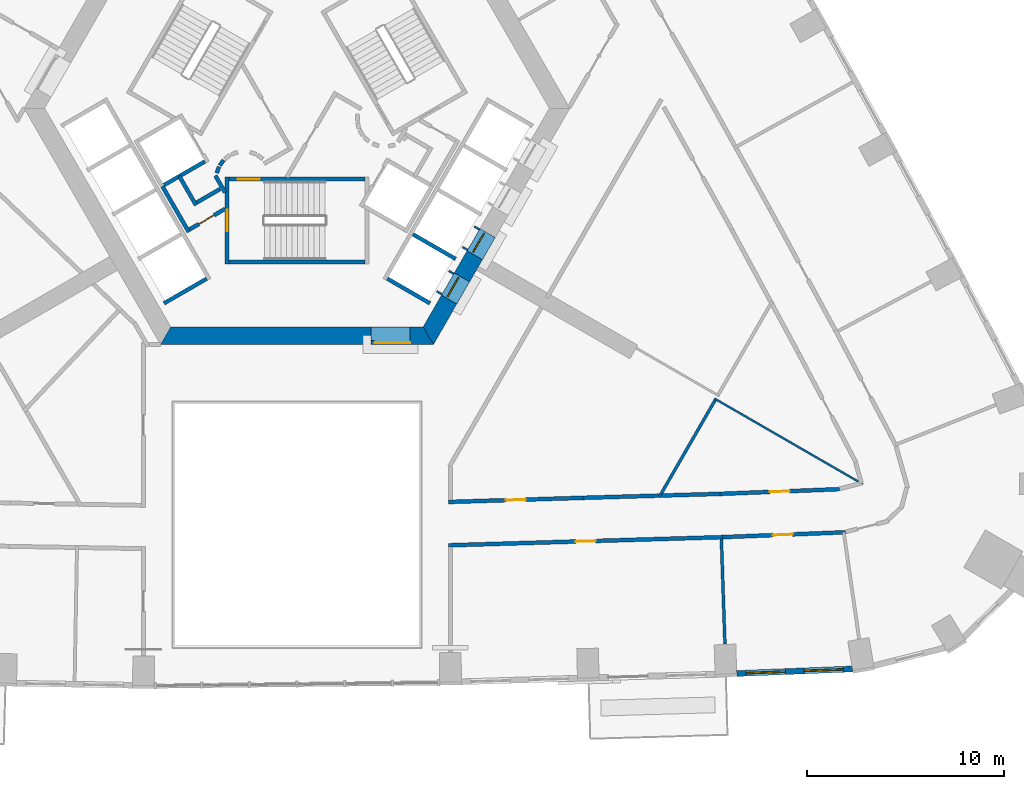
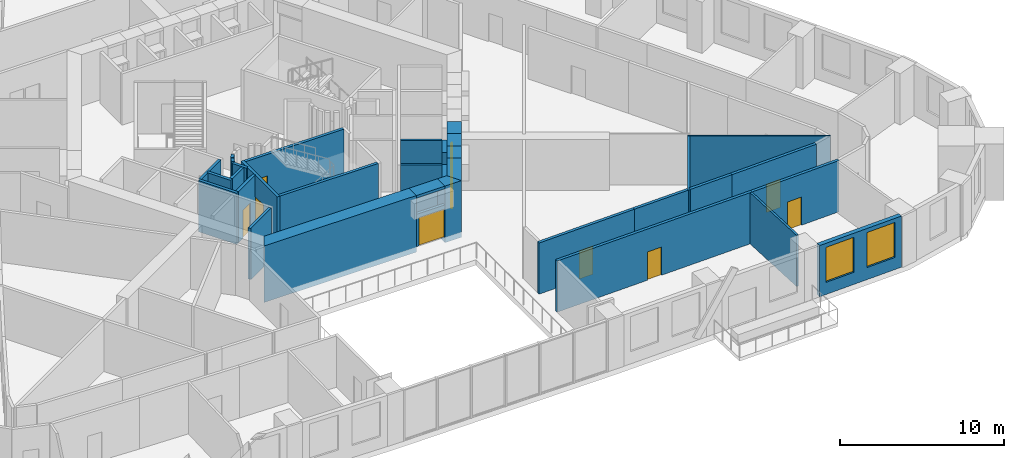
# One storey, part 6 of 14: 34 walls, 10 doors, 2 windows, 12 openings.
"""IFC4 building model written with IfcOpenShell, lengths in metres."""

from ifc_helpers import new_model, si_unit, direction, frame, frame_2d, origin, place, context, subcontext, project, spatial, polyline, rectangle, outline, extrude, material, layer, layer_set, type_object, element, fill, save


model = new_model("IFC4")

# Units and contexts
model_context = context("Model", 3, precision=1e-05, world=origin(), true_north=direction((0.0, 1.0)))
body_context = subcontext(model_context, "Body", "Model", "MODEL_VIEW")
ifc_project = project(units=[si_unit("LENGTHUNIT", "METRE"), si_unit("AREAUNIT", "SQUARE_METRE"), si_unit("VOLUMEUNIT", "CUBIC_METRE"), si_unit("PLANEANGLEUNIT", "RADIAN"), si_unit("MASSUNIT", "GRAM", prefix="KILO")], contexts=[model_context])

# Site, building, storey
site_placement = place(None, origin())
site = spatial("IfcSite", under=ifc_project, at=site_placement, CompositionType="ELEMENT")
building_placement = place(site_placement, origin())
building = spatial("IfcBuilding", under=site, at=building_placement, Name="Entoto Arch Interchange Tower", CompositionType="ELEMENT")
storey_placement = place(building_placement, frame((0.0, 0.0, 103.39990234375)))
storey = spatial("IfcBuildingStorey", under=building, at=storey_placement, Name="L22", CompositionType="ELEMENT", Elevation=103.39990234375)

# Wall, opening, door
ifc_material_1 = material(Name="Reinforced concrete C40/50", Category="concrete")
ifc_layer_1 = layer(ifc_material_1, 0.199951171875)
ifc_layer_set_1 = layer_set([ifc_layer_1], Name="Reinforced concrete C40/50")
wall_type_1 = type_object("IfcWallType", Name="CORE GAP INFILL WALL", PredefinedType="PARTITIONING", material=ifc_layer_set_1)
wall_1_placement = place(storey_placement, frame((3.75, -9.39990234375, 0.0), z_axis=(0.0, 0.0, 1.0), x_axis=(1.0, 0.0, 0.0)))
wall_1 = element("IfcWall", 1, at=wall_1_placement, inside=storey, type_object=wall_type_1, Name="wall:L22:gap1", PredefinedType="PARTITIONING", context=body_context, shape_type="SweptSolid", body=[
    extrude(rectangle(XDim=2.0, YDim=0.199951171875, at=frame_2d((1.0, 0.0))), origin(), (0.0, 0.0, 1.0), 2.400146484375),
])
opening_1_placement = place(wall_1_placement, frame((0.18994140625, 0.0, 0.0)))
opening_1 = element("IfcOpeningElement", 2, at=opening_1_placement, cuts=wall_1, Name="Opening L22-D91", PredefinedType="OPENING", context=body_context, shape_type="SweptSolid", body=[
    extrude(rectangle(XDim=1.800048828125, YDim=2.10009765625, at=frame_2d((0.89990234375, 1.050048828125))), frame((0.0, 0.10986328125, 0.0), z_axis=(0.0, -1.0, 0.0), x_axis=(1.0, 0.0, 0.0)), (0.0, 0.0, 1.0), 0.219970703125),
])
ifc_material_2 = material(Name="Fire-rated Steel S235 door and frame", Category="steel")
door_type_1 = type_object("IfcDoorType", Name="DOOR FD-18 1800x2100", OperationType="DOUBLE_DOOR_SINGLE_SWING", PredefinedType="DOOR", material=ifc_material_2)
door_1_placement = place(opening_1_placement, origin())
door_1 = element("IfcDoor", 3, at=door_1_placement, inside=storey, type_object=door_type_1, Name="door:L22:gap1", OperationType="DOUBLE_DOOR_SINGLE_SWING", OverallHeight=2.10009765625, OverallWidth=1.800048828125, PredefinedType="DOOR", context=body_context, shape_type="SweptSolid", body=[
    extrude(rectangle(XDim=1.800048828125, YDim=2.10009765625, at=frame_2d((0.89990234375, 1.050048828125))), frame((0.0, 0.02490234375, 0.0), z_axis=(0.0, -1.0, 0.0), x_axis=(1.0, 0.0, 0.0)), (0.0, 0.0, 1.0), 0.050048828125),
])
fill(opening_1, door_1)

# Walls
ifc_material_3 = material(Name="Concrete C60/75", Category="concrete")
ifc_layer_2 = layer(ifc_material_3, 0.89990234375)
ifc_layer_set_2 = layer_set([ifc_layer_2], Name="Concrete C60/75")
wall_type_2 = type_object("IfcWallType", Name="Core wall 900 C60/75", PredefinedType="SHEAR", material=ifc_layer_set_2)
wall_2_placement = place(storey_placement, frame((0.0, 0.0, -0.39990234375)))
element("IfcWall", 4, at=wall_2_placement, inside=storey, type_object=wall_type_2, Name="Core wall S L22", PredefinedType="SHEAR", context=body_context, shape_type="SweptSolid", body=[
    extrude(outline(polyline([(3.75, -9.5), (3.75, -8.60009765625), (-6.408935546875, -8.60009765625), (-6.927978515625, -9.5), (3.75, -9.5)])), origin(), (0.0, 0.0, 1.0), 4.199951171875),
])
wall_3_placement = place(storey_placement, frame((0.0, 0.0, -0.39990234375)))
element("IfcWall", 5, at=wall_3_placement, inside=storey, type_object=wall_type_2, Name="Core wall S L22", PredefinedType="SHEAR", context=body_context, shape_type="SweptSolid", body=[
    extrude(outline(polyline([(5.75, -8.60009765625), (5.75, -9.5), (6.927978515625, -9.5), (6.408935546875, -8.60009765625), (5.75, -8.60009765625)])), origin(), (0.0, 0.0, 1.0), 4.199951171875),
])
wall_4_placement = place(storey_placement, frame((0.0, 0.0, 3.60009765625)))
element("IfcWall", 6, at=wall_4_placement, inside=storey, type_object=wall_type_2, Name="Core wall lintel S L22", PredefinedType="SHEAR", context=body_context, shape_type="SweptSolid", body=[
    extrude(outline(polyline([(5.75, -9.5), (5.75, -8.60009765625), (3.75, -8.60009765625), (3.75, -9.5), (5.75, -9.5)])), origin(), (0.0, 0.0, 1.0), 0.199951171875),
])
wall_5_placement = place(storey_placement, frame((0.0, 0.0, -0.39990234375)))
element("IfcWall", 7, at=wall_5_placement, inside=storey, type_object=wall_type_2, Name="Core wall SE L22", PredefinedType="SHEAR", context=body_context, shape_type="SweptSolid", body=[
    extrude(outline(polyline([(8.116943359375, -7.43994140625), (7.337890625, -6.989990234375), (6.408935546875, -8.60009765625), (6.927978515625, -9.5), (8.116943359375, -7.43994140625)])), origin(), (0.0, 0.0, 1.0), 4.199951171875),
])
wall_6_placement = place(storey_placement, frame((0.0, 0.0, -0.39990234375)))
element("IfcWall", 8, at=wall_6_placement, inside=storey, type_object=wall_type_2, Name="Core wall SE L22", PredefinedType="SHEAR", context=body_context, shape_type="SweptSolid", body=[
    extrude(outline(polyline([(9.4169921875, -5.18896484375), (8.637939453125, -4.739013671875), (7.988037109375, -5.864013671875), (8.76708984375, -6.31396484375), (9.4169921875, -5.18896484375)])), origin(), (0.0, 0.0, 1.0), 4.199951171875),
])
wall_7_placement = place(storey_placement, frame((0.0, 0.0, 3.60009765625)))
element("IfcWall", 9, at=wall_7_placement, inside=storey, type_object=wall_type_2, Name="Core wall lintel SE L22", PredefinedType="SHEAR", context=body_context, shape_type="SweptSolid", body=[
    extrude(outline(polyline([(8.76708984375, -6.31396484375), (7.988037109375, -5.864013671875), (7.337890625, -6.989990234375), (8.116943359375, -7.43994140625), (8.76708984375, -6.31396484375)])), origin(), (0.0, 0.0, 1.0), 0.199951171875),
])
wall_8_placement = place(storey_placement, frame((0.0, 0.0, 3.60009765625)))
element("IfcWall", 10, at=wall_8_placement, inside=storey, type_object=wall_type_2, Name="Core wall lintel SE L22", PredefinedType="SHEAR", context=body_context, shape_type="SweptSolid", body=[
    extrude(outline(polyline([(10.06689453125, -4.06298828125), (9.2880859375, -3.613037109375), (8.637939453125, -4.739013671875), (9.4169921875, -5.18896484375), (10.06689453125, -4.06298828125)])), origin(), (0.0, 0.0, 1.0), 0.199951171875),
])

# Wall, opening, door
ifc_material_4 = material(Name="Concrete C40/50", Category="concrete")
ifc_layer_3 = layer(ifc_material_4, 1.199951171875)
ifc_layer_set_3 = layer_set([ifc_layer_3], Name="Concrete C40/50")
wall_type_3 = type_object("IfcWallType", Name="LIFT LANDING INFILL WALL", PredefinedType="STANDARD", material=ifc_layer_set_3)
wall_9_placement = place(storey_placement, frame((7.597900390625, -7.139892578125, 0.0), z_axis=(0.0, 0.0, 1.0), x_axis=(0.500362116554, 0.865816234728, 0.0)))
wall_9 = element("IfcWall", 11, at=wall_9_placement, inside=storey, type_object=wall_type_3, Name="Lift landing infill wall LR5 L22", PredefinedType="STANDARD", context=body_context, shape_type="SweptSolid", body=[
    extrude(rectangle(XDim=1.29931640625, YDim=1.199951171875, at=frame_2d((0.649658203125, 0.0))), origin(), (0.0, 0.0, 1.0), 2.400146484375),
])
opening_2_placement = place(wall_9_placement, frame((0.10009765625, 0.0, 0.0)))
opening_2 = element("IfcOpeningElement", 12, at=opening_2_placement, cuts=wall_9, Name="Opening LD-LR5-L22", PredefinedType="OPENING", context=body_context, shape_type="SweptSolid", body=[
    extrude(rectangle(XDim=1.10009765625, YDim=2.300048828125, at=frame_2d((0.550048828125, 1.14990234375))), frame((0.0, 0.60986328125, 0.0), z_axis=(0.0, -1.0, 0.0), x_axis=(1.0, 0.0, 0.0)), (0.0, 0.0, 1.0), 1.219970703125),
])
ifc_material_5 = material(Name="Stainless steel 1.4301 panels", Category="steel")
door_type_2 = type_object("IfcDoorType", Name="LIFT LANDING DOOR LD2 1100x2300", OperationType="SLIDING_TO_LEFT", PredefinedType="DOOR", material=ifc_material_5)
door_2_placement = place(opening_2_placement, origin())
door_2 = element("IfcDoor", 13, at=door_2_placement, inside=storey, type_object=door_type_2, Name="Lift landing door LR5 L22", OperationType="SLIDING_TO_LEFT", OverallHeight=2.300048828125, OverallWidth=1.10009765625, PredefinedType="DOOR", context=body_context, shape_type="SweptSolid", body=[
    extrude(rectangle(XDim=1.10009765625, YDim=2.300048828125, at=frame_2d((0.550048828125, 1.14990234375))), frame((0.0, 0.02490234375, 0.0), z_axis=(0.0, -1.0, 0.0), x_axis=(1.0, 0.0, 0.0)), (0.0, 0.0, 1.0), 0.050048828125),
])
fill(opening_2, door_2)

wall_10_placement = place(storey_placement, frame((8.89794921875, -4.888916015625, 0.0), z_axis=(0.0, 0.0, 1.0), x_axis=(0.500036693733, 0.866004217611, 0.0)))
wall_10 = element("IfcWall", 14, at=wall_10_placement, inside=storey, type_object=wall_type_3, Name="Lift landing infill wall LR6 L22", PredefinedType="STANDARD", context=body_context, shape_type="SweptSolid", body=[
    extrude(rectangle(XDim=1.30029296875, YDim=1.199951171875, at=frame_2d((0.650146484375, 0.0))), origin(), (0.0, 0.0, 1.0), 2.400146484375),
])
opening_3_placement = place(wall_10_placement, frame((0.10009765625, 0.0, 0.0)))
opening_3 = element("IfcOpeningElement", 15, at=opening_3_placement, cuts=wall_10, Name="Opening LD-LR6-L22", PredefinedType="OPENING", context=body_context, shape_type="SweptSolid", body=[
    extrude(rectangle(XDim=1.10009765625, YDim=2.300048828125, at=frame_2d((0.550048828125, 1.14990234375))), frame((0.0, 0.60986328125, 0.0), z_axis=(0.0, -1.0, 0.0), x_axis=(1.0, 0.0, 0.0)), (0.0, 0.0, 1.0), 1.219970703125),
])
door_3_placement = place(opening_3_placement, origin())
door_3 = element("IfcDoor", 16, at=door_3_placement, inside=storey, type_object=door_type_2, Name="Lift landing door LR6 L22", OperationType="SLIDING_TO_LEFT", OverallHeight=2.300048828125, OverallWidth=1.10009765625, PredefinedType="DOOR", context=body_context, shape_type="SweptSolid", body=[
    extrude(rectangle(XDim=1.10009765625, YDim=2.300048828125, at=frame_2d((0.550048828125, 1.14990234375))), frame((0.0, 0.02490234375, 0.0), z_axis=(0.0, -1.0, 0.0), x_axis=(1.0, 0.0, 0.0)), (0.0, 0.0, 1.0), 0.050048828125),
])
fill(opening_3, door_3)

# Walls
ifc_layer_4 = layer(ifc_material_4, 0.199951171875)
ifc_layer_set_4 = layer_set([ifc_layer_4], Name="Concrete C40/50")
wall_type_4 = type_object("IfcWallType", Name="LIFT SHAFT WALL 200", PredefinedType="STANDARD", material=ifc_layer_set_4)
wall_11_placement = place(storey_placement, frame((-4.677001953125, -0.199951171875, 0.0), z_axis=(0.0, 0.0, 1.0), x_axis=(-0.865973769406, -0.500089422704, 0.0)))
element("IfcWall", 17, at=wall_11_placement, inside=storey, type_object=wall_type_4, Name="Shaft wall SW1 cross 2", PredefinedType="STANDARD", context=body_context, shape_type="SweptSolid", body=[
    extrude(rectangle(XDim=2.3994140625, YDim=0.199951171875, at=frame_2d((1.19970703125, 0.0))), origin(), (0.0, 0.0, 1.0), 3.800048828125),
])
for number, where, z_axis, x_axis, name in (
    (18, (-4.587890625, -6.153076171875, 0.0), (0.0, 0.0, 1.0), (-0.866022959057, -0.500004234368, 0.0), "Shaft wall SW3 cross 5"),
    (19, (4.587890625, -6.153076171875, 0.0), (0.0, 0.0, 1.0), (0.866022959057, -0.500004234368, 0.0), "Shaft wall SE3 cross 1"),
    (20, (5.887939453125, -3.902099609375, 0.0), (0.0, 0.0, 1.0), (0.866022959057, -0.500004234368, 0.0), "Shaft wall SE3 cross 2"),
):
    element("IfcWall", number, at=place(storey_placement, frame(where, z_axis=z_axis, x_axis=x_axis)), inside=storey, type_object=wall_type_4, Name=name, PredefinedType="STANDARD", context=body_context, shape_type="SweptSolid", body=[
        extrude(rectangle(XDim=2.5, YDim=0.199951171875, at=frame_2d((1.25, 0.0))), origin(), (0.0, 0.0, 1.0), 3.800048828125),
    ])
ifc_material_6 = material(Name="Gypsum board partition on steel studs", Category="steel")
ifc_layer_5 = layer(ifc_material_6, 0.10009765625)
ifc_layer_set_5 = layer_set([ifc_layer_5], Name="Gypsum board partition on steel studs")
wall_type_5 = type_object("IfcWallType", Name="PARTITION 100", PredefinedType="PARTITIONING", material=ifc_layer_set_5)
wall_12_placement = place(storey_placement, frame((21.196044921875, -12.238037109375, 0.0), z_axis=(0.0, 0.0, 1.0), x_axis=(0.866023145199, -0.500003911965, 0.0)))
element("IfcWall", 21, at=wall_12_placement, inside=storey, type_object=wall_type_5, Name="wall:L22:p126", PredefinedType="PARTITIONING", context=body_context, shape_type="SweptSolid", body=[
    extrude(rectangle(XDim=8.7099609375, YDim=0.10009765625, at=frame_2d((4.35498046875, 0.0))), origin(), (0.0, 0.0, 1.0), 3.800048828125),
])
ifc_layer_6 = layer(ifc_material_6, 0.14990234375)
ifc_layer_set_6 = layer_set([ifc_layer_6], Name="Gypsum board partition on steel studs")
wall_type_6 = type_object("IfcWallType", Name="PARTITION 150", PredefinedType="PARTITIONING", material=ifc_layer_set_6)
wall_13_placement = place(storey_placement, frame((21.236083984375, -12.319091796875, 0.0), z_axis=(0.0, 0.0, 1.0), x_axis=(-0.500016488359, -0.866015884017, 0.0)))
element("IfcWall", 22, at=wall_13_placement, inside=storey, type_object=wall_type_6, Name="wall:L22:p124", PredefinedType="PARTITIONING", context=body_context, shape_type="SweptSolid", body=[
    extrude(rectangle(XDim=5.701904296875, YDim=0.14990234375, at=frame_2d((2.85107421875, 0.0))), origin(), (0.0, 0.0, 1.0), 3.800048828125),
])
wall_14_placement = place(storey_placement, frame((21.550048828125, -19.382080078125, 0.0), z_axis=(0.0, 0.0, 1.0), x_axis=(0.034124666577, -0.999417583961, 0.0)))
element("IfcWall", 23, at=wall_14_placement, inside=storey, type_object=wall_type_6, Name="wall:L22:p137", PredefinedType="PARTITIONING", context=body_context, shape_type="SweptSolid", body=[
    extrude(rectangle(XDim=5.330078125, YDim=0.14990234375, at=frame_2d((2.6650390625, 0.0))), origin(), (0.0, 0.0, 1.0), 3.800048828125),
])

# Wall, opening, door
ifc_layer_7 = layer(ifc_material_6, 0.199951171875)
ifc_layer_set_7 = layer_set([ifc_layer_7], Name="Gypsum board partition on steel studs")
wall_type_7 = type_object("IfcWallType", Name="PARTITION 200", PredefinedType="PARTITIONING", material=ifc_layer_set_7)
wall_15_placement = place(storey_placement, frame((7.699951171875, -17.492919921875, 0.0), z_axis=(0.0, 0.0, 1.0), x_axis=(0.999526319751, 0.030775576778, 0.0)))
wall_15 = element("IfcWall", 24, at=wall_15_placement, inside=storey, type_object=wall_type_7, Name="wall:L22:p017", PredefinedType="PARTITIONING", context=body_context, shape_type="SweptSolid", body=[
    extrude(rectangle(XDim=6.822265625, YDim=0.199951171875, at=frame_2d((3.4111328125, 0.0))), origin(), (0.0, 0.0, 1.0), 3.800048828125),
])
opening_4_placement = place(wall_15_placement, frame((2.910888671875, 0.0, 0.0)))
opening_4 = element("IfcOpeningElement", 25, at=opening_4_placement, cuts=wall_15, Name="Opening L22-D21", PredefinedType="OPENING", context=body_context, shape_type="SweptSolid", body=[
    extrude(rectangle(XDim=1.0, YDim=2.10009765625, at=frame_2d((0.5, 1.050048828125))), frame((0.0, 0.10986328125, 0.0), z_axis=(0.0, -1.0, 0.0), x_axis=(1.0, 0.0, 0.0)), (0.0, 0.0, 1.0), 0.219970703125),
])
ifc_material_7 = material(Name="Timber door leaf in Steel S235 frame", Category="steel")
door_type_3 = type_object("IfcDoorType", Name="DOOR DS-10 1000x2100", OperationType="SINGLE_SWING_LEFT", PredefinedType="DOOR", material=ifc_material_7)
door_4_placement = place(opening_4_placement, origin())
door_4 = element("IfcDoor", 26, at=door_4_placement, inside=storey, type_object=door_type_3, Name="door:L22:21", OperationType="SINGLE_SWING_LEFT", OverallHeight=2.10009765625, OverallWidth=1.0, PredefinedType="DOOR", context=body_context, shape_type="SweptSolid", body=[
    extrude(rectangle(XDim=1.0, YDim=2.10009765625, at=frame_2d((0.5, 1.050048828125))), frame((0.0, 0.02490234375, 0.0), z_axis=(0.0, -1.0, 0.0), x_axis=(1.0, 0.0, 0.0)), (0.0, 0.0, 1.0), 0.050048828125),
])
fill(opening_4, door_4)

# Walls
wall_16_placement = place(storey_placement, frame((14.51904296875, -17.282958984375, 0.0), z_axis=(0.0, 0.0, 1.0), x_axis=(0.999591204998, 0.028590608419, 0.0)))
element("IfcWall", 27, at=wall_16_placement, inside=storey, type_object=wall_type_7, Name="wall:L22:p018", PredefinedType="PARTITIONING", context=body_context, shape_type="SweptSolid", body=[
    extrude(rectangle(XDim=3.842529296875, YDim=0.199951171875, at=frame_2d((1.92138671875, 0.0))), origin(), (0.0, 0.0, 1.0), 3.800048828125),
])
wall_17_placement = place(storey_placement, frame((18.509033203125, -17.16796875, 0.0), z_axis=(0.0, 0.0, 1.0), x_axis=(0.999588854267, 0.028672677323, 0.0)))
element("IfcWall", 28, at=wall_17_placement, inside=storey, type_object=wall_type_7, Name="wall:L22:p021", PredefinedType="PARTITIONING", context=body_context, shape_type="SweptSolid", body=[
    extrude(rectangle(XDim=2.963134765625, YDim=0.199951171875, at=frame_2d((1.4814453125, 0.0))), origin(), (0.0, 0.0, 1.0), 3.800048828125),
])

# Wall, opening, door
wall_18_placement = place(storey_placement, frame((21.470947265625, -17.0830078125, 0.0), z_axis=(0.0, 0.0, 1.0), x_axis=(0.999221407079, 0.039453512338, 0.0)))
wall_18 = element("IfcWall", 29, at=wall_18_placement, inside=storey, type_object=wall_type_7, Name="wall:L22:p022", PredefinedType="PARTITIONING", context=body_context, shape_type="SweptSolid", body=[
    extrude(rectangle(XDim=6.082763671875, YDim=0.199951171875, at=frame_2d((3.04150390625, 0.0))), origin(), (0.0, 0.0, 1.0), 3.800048828125),
])
opening_5_placement = place(wall_18_placement, frame((2.541015625, 0.0, 0.0)))
opening_5 = element("IfcOpeningElement", 30, at=opening_5_placement, cuts=wall_18, Name="Opening L22-D23", PredefinedType="OPENING", context=body_context, shape_type="SweptSolid", body=[
    extrude(rectangle(XDim=1.0, YDim=2.10009765625, at=frame_2d((0.5, 1.050048828125))), frame((0.0, 0.10986328125, 0.0), z_axis=(0.0, -1.0, 0.0), x_axis=(1.0, 0.0, 0.0)), (0.0, 0.0, 1.0), 0.219970703125),
])
door_5_placement = place(opening_5_placement, origin())
door_5 = element("IfcDoor", 31, at=door_5_placement, inside=storey, type_object=door_type_3, Name="door:L22:23", OperationType="SINGLE_SWING_LEFT", OverallHeight=2.10009765625, OverallWidth=1.0, PredefinedType="DOOR", context=body_context, shape_type="SweptSolid", body=[
    extrude(rectangle(XDim=1.0, YDim=2.10009765625, at=frame_2d((0.5, 1.050048828125))), frame((0.0, 0.02490234375, 0.0), z_axis=(0.0, -1.0, 0.0), x_axis=(1.0, 0.0, 0.0)), (0.0, 0.0, 1.0), 0.050048828125),
])
fill(opening_5, door_5)

wall_19_placement = place(storey_placement, frame((21.62109375, -19.280029296875, 0.0), z_axis=(0.0, 0.0, 1.0), x_axis=(-0.999557957525, -0.029730280001, 0.0)))
wall_19 = element("IfcWall", 32, at=wall_19_placement, inside=storey, type_object=wall_type_7, Name="wall:L22:p043", PredefinedType="PARTITIONING", context=body_context, shape_type="SweptSolid", body=[
    extrude(rectangle(XDim=13.92724609375, YDim=0.199951171875, at=frame_2d((6.963623046875, 0.0))), origin(), (0.0, 0.0, 1.0), 3.800048828125),
])
opening_6_placement = place(wall_19_placement, frame((6.464111328125, 0.0, 0.0)))
opening_6 = element("IfcOpeningElement", 33, at=opening_6_placement, cuts=wall_19, Name="Opening L22-D01", PredefinedType="OPENING", context=body_context, shape_type="SweptSolid", body=[
    extrude(rectangle(XDim=1.0, YDim=2.10009765625, at=frame_2d((0.5, 1.050048828125))), frame((0.0, 0.10986328125, 0.0), z_axis=(0.0, -1.0, 0.0), x_axis=(1.0, 0.0, 0.0)), (0.0, 0.0, 1.0), 0.219970703125),
])
door_6_placement = place(opening_6_placement, origin())
door_6 = element("IfcDoor", 34, at=door_6_placement, inside=storey, type_object=door_type_3, Name="door:L22:01", OperationType="SINGLE_SWING_LEFT", OverallHeight=2.10009765625, OverallWidth=1.0, PredefinedType="DOOR", context=body_context, shape_type="SweptSolid", body=[
    extrude(rectangle(XDim=1.0, YDim=2.10009765625, at=frame_2d((0.5, 1.050048828125))), frame((0.0, 0.02490234375, 0.0), z_axis=(0.0, -1.0, 0.0), x_axis=(1.0, 0.0, 0.0)), (0.0, 0.0, 1.0), 0.050048828125),
])
fill(opening_6, door_6)

wall_20_placement = place(storey_placement, frame((27.864990234375, -19.031982421875, 0.0), z_axis=(0.0, 0.0, 1.0), x_axis=(-0.999218029978, -0.039538950003, 0.0)))
wall_20 = element("IfcWall", 35, at=wall_20_placement, inside=storey, type_object=wall_type_7, Name="wall:L22:p044", PredefinedType="PARTITIONING", context=body_context, shape_type="SweptSolid", body=[
    extrude(rectangle(XDim=6.248779296875, YDim=0.199951171875, at=frame_2d((3.12451171875, 0.0))), origin(), (0.0, 0.0, 1.0), 3.800048828125),
])
opening_7_placement = place(wall_20_placement, frame((2.698974609375, 0.0, 0.0)))
opening_7 = element("IfcOpeningElement", 36, at=opening_7_placement, cuts=wall_20, Name="Opening L22-D02", PredefinedType="OPENING", context=body_context, shape_type="SweptSolid", body=[
    extrude(rectangle(XDim=1.0, YDim=2.10009765625, at=frame_2d((0.5, 1.050048828125))), frame((0.0, 0.10986328125, 0.0), z_axis=(0.0, -1.0, 0.0), x_axis=(1.0, 0.0, 0.0)), (0.0, 0.0, 1.0), 0.219970703125),
])
door_7_placement = place(opening_7_placement, origin())
door_7 = element("IfcDoor", 37, at=door_7_placement, inside=storey, type_object=door_type_3, Name="door:L22:02", OperationType="SINGLE_SWING_LEFT", OverallHeight=2.10009765625, OverallWidth=1.0, PredefinedType="DOOR", context=body_context, shape_type="SweptSolid", body=[
    extrude(rectangle(XDim=1.0, YDim=2.10009765625, at=frame_2d((0.5, 1.050048828125))), frame((0.0, 0.02490234375, 0.0), z_axis=(0.0, -1.0, 0.0), x_axis=(1.0, 0.0, 0.0)), (0.0, 0.0, 1.0), 0.050048828125),
])
fill(opening_7, door_7)

# Walls
wall_21_placement = place(storey_placement, frame((-3.89990234375, -1.59912109375, 0.0), z_axis=(0.0, 0.0, 1.0), x_axis=(-0.865969445389, -0.500096910261, 0.0)))
element("IfcWall", 38, at=wall_21_placement, inside=storey, type_object=wall_type_7, Name="wall:L22:p090", PredefinedType="PARTITIONING", context=body_context, shape_type="SweptSolid", body=[
    extrude(rectangle(XDim=1.373291015625, YDim=0.199951171875, at=frame_2d((0.6865234375, 0.0))), origin(), (0.0, 0.0, 1.0), 3.800048828125),
])
wall_22_placement = place(storey_placement, frame((-5.1259765625, -2.422119140625, 0.0), z_axis=(0.0, 0.0, 1.0), x_axis=(-0.500062241894, 0.865989465428, 0.0)))
element("IfcWall", 39, at=wall_22_placement, inside=storey, type_object=wall_type_7, Name="wall:L22:p091", PredefinedType="PARTITIONING", context=body_context, shape_type="SweptSolid", body=[
    extrude(rectangle(XDim=1.699951171875, YDim=0.199951171875, at=frame_2d((0.85009765625, 0.0))), origin(), (0.0, 0.0, 1.0), 3.800048828125),
])

# Wall, opening, door
wall_23_placement = place(storey_placement, frame((-3.64990234375, -2.610107421875, 0.0), z_axis=(0.0, 0.0, 1.0), x_axis=(-0.866072462134, -0.499918483688, 0.0)))
wall_23 = element("IfcWall", 40, at=wall_23_placement, inside=storey, type_object=wall_type_7, Name="wall:L22:p092", PredefinedType="PARTITIONING", context=body_context, shape_type="SweptSolid", body=[
    extrude(rectangle(XDim=2.084228515625, YDim=0.199951171875, at=frame_2d((1.0419921875, 0.0))), origin(), (0.0, 0.0, 1.0), 3.800048828125),
])
opening_8_placement = place(wall_23_placement, frame((0.64208984375, 0.0, 0.0)))
opening_8 = element("IfcOpeningElement", 41, at=opening_8_placement, cuts=wall_23, Name="Opening L22-D39", PredefinedType="OPENING", context=body_context, shape_type="SweptSolid", body=[
    extrude(rectangle(XDim=0.89990234375, YDim=2.10009765625, at=frame_2d((0.449951171875, 1.050048828125))), frame((0.0, 0.10986328125, 0.0), z_axis=(0.0, -1.0, 0.0), x_axis=(1.0, 0.0, 0.0)), (0.0, 0.0, 1.0), 0.219970703125),
])
door_type_4 = type_object("IfcDoorType", Name="DOOR DS-09 900x2100", OperationType="SINGLE_SWING_LEFT", PredefinedType="DOOR", material=ifc_material_7)
door_8_placement = place(opening_8_placement, origin())
door_8 = element("IfcDoor", 42, at=door_8_placement, inside=storey, type_object=door_type_4, Name="door:L22:39", OperationType="SINGLE_SWING_LEFT", OverallHeight=2.10009765625, OverallWidth=0.89990234375, PredefinedType="DOOR", context=body_context, shape_type="SweptSolid", body=[
    extrude(rectangle(XDim=0.89990234375, YDim=2.10009765625, at=frame_2d((0.449951171875, 1.050048828125))), frame((0.0, 0.02490234375, 0.0), z_axis=(0.0, -1.0, 0.0), x_axis=(1.0, 0.0, 0.0)), (0.0, 0.0, 1.0), 0.050048828125),
])
fill(opening_8, door_8)

# Walls
wall_24_placement = place(storey_placement, frame((-5.491943359375, -3.7880859375, 0.0), z_axis=(0.0, 0.0, 1.0), x_axis=(-0.500008949224, 0.866020236886, 0.0)))
element("IfcWall", 43, at=wall_24_placement, inside=storey, type_object=wall_type_7, Name="wall:L22:p093", PredefinedType="PARTITIONING", context=body_context, shape_type="SweptSolid", body=[
    extrude(rectangle(XDim=2.68017578125, YDim=0.199951171875, at=frame_2d((1.340087890625, 0.0))), origin(), (0.0, 0.0, 1.0), 3.800048828125),
])
wall_25_placement = place(storey_placement, frame((-4.14501953125, -0.919921875, 0.0), z_axis=(0.0, 0.0, 1.0), x_axis=(0.499743786207, -0.866173278362, 0.0)))
element("IfcWall", 44, at=wall_25_placement, inside=storey, type_object=wall_type_7, Name="wall:L22:p094", PredefinedType="PARTITIONING", context=body_context, shape_type="SweptSolid", body=[
    extrude(rectangle(XDim=0.99072265625, YDim=0.199951171875, at=frame_2d((0.495361328125, 0.0))), origin(), (0.0, 0.0, 1.0), 3.800048828125),
])
wall_26_placement = place(storey_placement, frame((-3.722900390625, -0.131103515625, 0.0), z_axis=(0.0, 0.0, 1.0), x_axis=(-0.594675113454, -0.803966112121, 0.0)))
element("IfcWall", 45, at=wall_26_placement, inside=storey, type_object=wall_type_7, Name="wall:L22:p113", PredefinedType="PARTITIONING", context=body_context, shape_type="SweptSolid", body=[
    extrude(rectangle(XDim=0.33837890625, YDim=0.199951171875, at=frame_2d((0.169189453125, 0.0))), origin(), (0.0, 0.0, 1.0), 3.800048828125),
])
wall_27_placement = place(storey_placement, frame((-3.9599609375, -0.469970703125, 0.0), z_axis=(0.0, 0.0, 1.0), x_axis=(-0.334824194261, -0.942280615813, 0.0)))
element("IfcWall", 46, at=wall_27_placement, inside=storey, type_object=wall_type_7, Name="wall:L22:p114", PredefinedType="PARTITIONING", context=body_context, shape_type="SweptSolid", body=[
    extrude(rectangle(XDim=0.337646484375, YDim=0.199951171875, at=frame_2d((0.1689453125, 0.0))), origin(), (0.0, 0.0, 1.0), 3.800048828125),
])

# Wall, opening, door
ifc_layer_8 = layer(ifc_material_4, 0.199951171875)
ifc_layer_set_8 = layer_set([ifc_layer_8], Name="Concrete C40/50")
wall_type_8 = type_object("IfcWallType", Name="STAIR ENCLOSURE WALL 200", PredefinedType="STANDARD", material=ifc_layer_set_8)
wall_28_placement = place(storey_placement, frame((-3.550048828125, -1.0, 0.0), z_axis=(0.0, 0.0, 1.0), x_axis=(0.0, -1.0, 0.0)))
wall_28 = element("IfcWall", 47, at=wall_28_placement, inside=storey, type_object=wall_type_8, Name="Stair wall ST-S near", PredefinedType="STANDARD", context=body_context, shape_type="SweptSolid", body=[
    extrude(rectangle(XDim=4.39990234375, YDim=0.199951171875, at=frame_2d((2.199951171875, 0.0))), origin(), (0.0, 0.0, 1.0), 3.800048828125),
])
opening_9_placement = place(wall_28_placement, frame((1.64990234375, 0.0, 0.0)))
opening_9 = element("IfcOpeningElement", 48, at=opening_9_placement, cuts=wall_28, Name="Opening SD-ST-S-L22-E", PredefinedType="OPENING", context=body_context, shape_type="SweptSolid", body=[
    extrude(rectangle(XDim=1.10009765625, YDim=2.199951171875, at=frame_2d((0.550048828125, 1.10009765625))), frame((0.0, 0.10986328125, 0.0), z_axis=(0.0, -1.0, 0.0), x_axis=(1.0, 0.0, 0.0)), (0.0, 0.0, 1.0), 0.219970703125),
])
ifc_material_8 = material(Name="Steel S235", Category="steel")
door_type_5 = type_object("IfcDoorType", Name="STAIR DOOR SD1 1100x2200", OperationType="SINGLE_SWING_LEFT", PredefinedType="DOOR", material=ifc_material_8)
door_9_placement = place(opening_9_placement, origin())
door_9 = element("IfcDoor", 49, at=door_9_placement, inside=storey, type_object=door_type_5, Name="Stair door ST-S L22 end", OperationType="SINGLE_SWING_LEFT", OverallHeight=2.199951171875, OverallWidth=1.10009765625, PredefinedType="DOOR", context=body_context, shape_type="SweptSolid", body=[
    extrude(rectangle(XDim=1.10009765625, YDim=2.199951171875, at=frame_2d((0.550048828125, 1.10009765625))), frame((0.0, 0.02490234375, 0.0), z_axis=(0.0, -1.0, 0.0), x_axis=(1.0, 0.0, 0.0)), (0.0, 0.0, 1.0), 0.050048828125),
])
fill(opening_9, door_9)

wall_29_placement = place(storey_placement, frame((-3.449951171875, -1.10009765625, 0.0), z_axis=(0.0, 0.0, 1.0), x_axis=(1.0, 0.0, 0.0)))
wall_29 = element("IfcWall", 50, at=wall_29_placement, inside=storey, type_object=wall_type_8, Name="Stair wall ST-S hall", PredefinedType="STANDARD", context=body_context, shape_type="SweptSolid", body=[
    extrude(rectangle(XDim=6.89990234375, YDim=0.199951171875, at=frame_2d((3.449951171875, 0.0))), origin(), (0.0, 0.0, 1.0), 3.800048828125),
])
opening_10_placement = place(wall_29_placement, frame((0.449951171875, 0.0, 0.0)))
opening_10 = element("IfcOpeningElement", 51, at=opening_10_placement, cuts=wall_29, Name="Opening SD-ST-S-L22", PredefinedType="OPENING", context=body_context, shape_type="SweptSolid", body=[
    extrude(rectangle(XDim=1.10009765625, YDim=2.199951171875, at=frame_2d((0.550048828125, 1.10009765625))), frame((0.0, 0.10986328125, 0.0), z_axis=(0.0, -1.0, 0.0), x_axis=(1.0, 0.0, 0.0)), (0.0, 0.0, 1.0), 0.219970703125),
])
door_10_placement = place(opening_10_placement, origin())
door_10 = element("IfcDoor", 52, at=door_10_placement, inside=storey, type_object=door_type_5, Name="Stair door ST-S L22", OperationType="SINGLE_SWING_LEFT", OverallHeight=2.199951171875, OverallWidth=1.10009765625, PredefinedType="DOOR", context=body_context, shape_type="SweptSolid", body=[
    extrude(rectangle(XDim=1.10009765625, YDim=2.199951171875, at=frame_2d((0.550048828125, 1.10009765625))), frame((0.0, 0.02490234375, 0.0), z_axis=(0.0, -1.0, 0.0), x_axis=(1.0, 0.0, 0.0)), (0.0, 0.0, 1.0), 0.050048828125),
])
fill(opening_10, door_10)

# Wall
wall_30_placement = place(storey_placement, frame((-3.449951171875, -5.300048828125, 0.0), z_axis=(0.0, 0.0, 1.0), x_axis=(1.0, 0.0, 0.0)))
element("IfcWall", 53, at=wall_30_placement, inside=storey, type_object=wall_type_8, Name="Stair wall ST-S back", PredefinedType="STANDARD", context=body_context, shape_type="SweptSolid", body=[
    extrude(rectangle(XDim=6.89990234375, YDim=0.199951171875, at=frame_2d((3.449951171875, 0.0))), origin(), (0.0, 0.0, 1.0), 3.800048828125),
])

# Wall, openings, windows
ifc_material_9 = material(Name="Welded tuff (ignimbrite) cladding, warm buff", Category="masonry")
ifc_layer_9 = layer(ifc_material_9, 0.300048828125)
ifc_layer_set_9 = layer_set([ifc_layer_9], Name="Welded tuff (ignimbrite) cladding, warm buff")
wall_type_9 = type_object("IfcWallType", Name="STONE INFILL WALL 300", PredefinedType="STANDARD", material=ifc_layer_set_9)
wall_31_placement = place(storey_placement, frame((22.33203125, -26.2060546875, 0.0), z_axis=(0.0, 0.0, 1.0), x_axis=(0.99922113396, 0.039460428885, 0.0)))
wall_31 = element("IfcWall", 54, at=wall_31_placement, inside=storey, type_object=wall_type_9, Name="Facade wall S-07 L22", PredefinedType="STANDARD", context=body_context, shape_type="SweptSolid", body=[
    extrude(rectangle(XDim=5.877685546875, YDim=0.300048828125, at=frame_2d((2.93896484375, 0.0))), origin(), (0.0, 0.0, 1.0), 3.800048828125),
])
opening_11_placement = place(wall_31_placement, frame((0.468994140625, 0.0, 0.89990234375)))
opening_11 = element("IfcOpeningElement", 55, at=opening_11_placement, cuts=wall_31, Name="Opening WO-C", PredefinedType="OPENING", context=body_context, shape_type="SweptSolid", body=[
    extrude(rectangle(XDim=2.0, YDim=2.60009765625, at=frame_2d((1.0, 1.300048828125))), frame((0.0, 0.16015625, 0.0), z_axis=(0.0, -1.0, 0.0), x_axis=(1.0, 0.0, 0.0)), (0.0, 0.0, 1.0), 0.320068359375),
])
opening_12_placement = place(wall_31_placement, frame((3.407958984375, 0.0, 0.89990234375)))
opening_12 = element("IfcOpeningElement", 56, at=opening_12_placement, cuts=wall_31, Name="Opening WO-C", PredefinedType="OPENING", context=body_context, shape_type="SweptSolid", body=[
    extrude(rectangle(XDim=2.0, YDim=2.60009765625, at=frame_2d((1.0, 1.300048828125))), frame((0.0, 0.16015625, 0.0), z_axis=(0.0, -1.0, 0.0), x_axis=(1.0, 0.0, 0.0)), (0.0, 0.0, 1.0), 0.320068359375),
])
ifc_material_10 = material(Name="Clear glass, low-e double glazed", Category="glass")
window_type = type_object("IfcWindowType", Name="WINDOW WO-C 2000x2600", PartitioningType="DOUBLE_PANEL_VERTICAL", PredefinedType="WINDOW", material=ifc_material_10)
window_1_placement = place(opening_11_placement, origin())
window_1 = element("IfcWindow", 57, at=window_1_placement, inside=storey, type_object=window_type, Name="Window WO-C S-07 L22", OverallHeight=2.60009765625, OverallWidth=2.0, PartitioningType="SINGLE_PANEL", PredefinedType="WINDOW", context=body_context, shape_type="SweptSolid", body=[
    extrude(rectangle(XDim=2.0, YDim=2.60009765625, at=frame_2d((1.0, 1.300048828125))), frame((0.0, 0.030029296875, 0.0), z_axis=(0.0, -1.0, 0.0), x_axis=(1.0, 0.0, 0.0)), (0.0, 0.0, 1.0), 0.06005859375),
])
fill(opening_11, window_1)
window_2_placement = place(opening_12_placement, origin())
window_2 = element("IfcWindow", 58, at=window_2_placement, inside=storey, type_object=window_type, Name="Window WO-C S-07 L22", OverallHeight=2.60009765625, OverallWidth=2.0, PartitioningType="SINGLE_PANEL", PredefinedType="WINDOW", context=body_context, shape_type="SweptSolid", body=[
    extrude(rectangle(XDim=2.0, YDim=2.60009765625, at=frame_2d((1.0, 1.300048828125))), frame((0.0, 0.030029296875, 0.0), z_axis=(0.0, -1.0, 0.0), x_axis=(1.0, 0.0, 0.0)), (0.0, 0.0, 1.0), 0.06005859375),
])
fill(opening_12, window_2)

save(model, "model.ifc")
